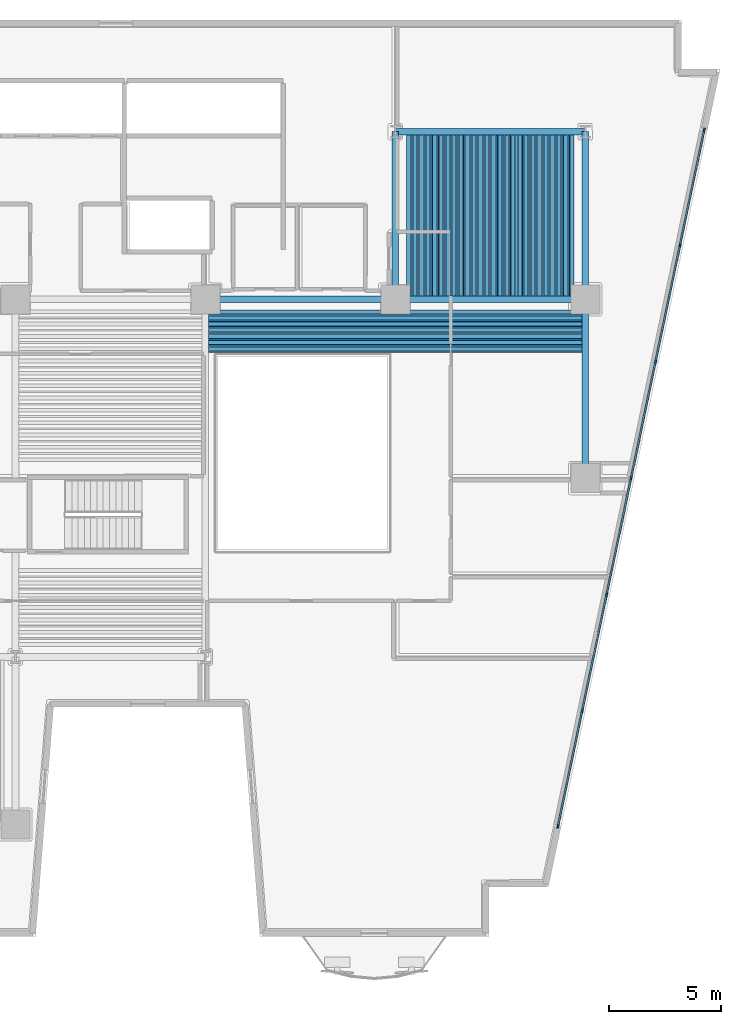
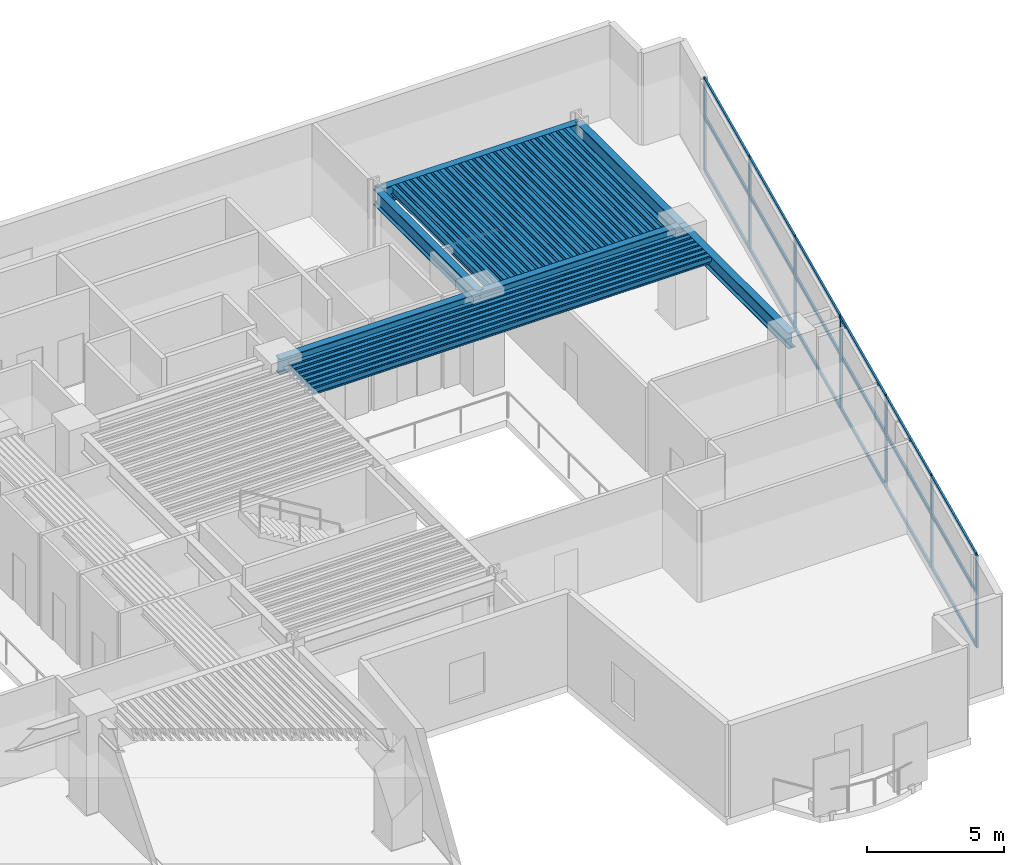
# One storey, part 2 of 12: 71 beams, 25 members, 1 element without a shape of its own.
"""IFC4 building model written with IfcOpenShell, lengths in metres."""

from ifc_helpers import new_model, si_unit, direction, frame, origin, origin_2d, place, context, subcontext, project, spatial, rectangle, hollow_rectangle, i_section, extrude, material, layer, layer_set, material_profile, profile_set, type_object, element, aggregate, save


model = new_model("IFC4")

# Units and contexts
model_context = context("Model", 3, precision=1e-05, world=origin(), true_north=direction((0.0, 1.0)))
body_context = subcontext(model_context, "Body", "Model", "MODEL_VIEW")
ifc_project = project(units=[si_unit("LENGTHUNIT", "METRE"), si_unit("AREAUNIT", "SQUARE_METRE"), si_unit("VOLUMEUNIT", "CUBIC_METRE"), si_unit("PLANEANGLEUNIT", "RADIAN"), si_unit("MASSUNIT", "GRAM", prefix="KILO")], contexts=[model_context])

# Site, building, storey
site_placement = place(None, origin())
site = spatial("IfcSite", under=ifc_project, at=site_placement, CompositionType="ELEMENT")
building_placement = place(site_placement, origin())
building = spatial("IfcBuilding", under=site, at=building_placement, Name="Caeloran Harvest Quay", CompositionType="ELEMENT")
storey_placement = place(building_placement, frame((0.0, 0.0, 31.39990234375)))
storey = spatial("IfcBuildingStorey", under=building, at=storey_placement, Name="L07", CompositionType="ELEMENT", Elevation=31.39990234375)

# Beams
ifc_material_1 = material(Name="Steel S355J2", Category="steel")
ifc_material_profile_1 = material_profile(ifc_material_1, i_section(OverallWidth=0.300048828125, OverallDepth=0.699951171875, WebThickness=0.01708984375, FlangeThickness=0.031982421875, FilletRadius=0.027099609375, at=origin_2d()), Name="HE 700 B")
ifc_profile_set_1 = profile_set([ifc_material_profile_1], Name="Steel S355J2")
beam_type_1 = type_object("IfcBeamType", Name="BM-PG-2-HE_700_B", PredefinedType="BEAM", material=ifc_profile_set_1)
for number, where, z_axis, x_axis, name in (
    (1, (34.0, 31.0, 3.75), (1.0, 0.0, 0.0), (0.0, 1.0, 0.0), "L07 Primary East-West Girder Y=31.0"),
    (2, (42.5, 31.0, 3.75), (1.0, 0.0, 0.0), (0.0, 1.0, 0.0), "L07 Primary East-West Girder Y=31.0"),
    (3, (42.5, 38.5, 3.75), (1.0, 0.0, 0.0), (0.0, 1.0, 0.0), "L07 Primary East-West Girder Y=38.5"),
):
    element("IfcBeam", number, at=place(storey_placement, frame(where, z_axis=z_axis, x_axis=x_axis)), inside=storey, type_object=beam_type_1, Name=name, PredefinedType="BEAM", context=body_context, shape_type="SweptSolid", body=[
        extrude(i_section(OverallWidth=0.300048828125, OverallDepth=0.699951171875, WebThickness=0.01708984375, FlangeThickness=0.031982421875, FilletRadius=0.027099609375, at=origin_2d()), origin(), (0.0, 0.0, 1.0), 8.5),
    ])
beam_1_placement = place(storey_placement, frame((42.5, 31.0, 3.75), z_axis=(0.0, 1.0, 0.0), x_axis=(-1.0, 0.0, 0.0)))
element("IfcBeam", 4, at=beam_1_placement, inside=storey, type_object=beam_type_1, Name="L07 Primary North-South Girder X=42.5", PredefinedType="BEAM", context=body_context, shape_type="SweptSolid", body=[
    extrude(i_section(OverallWidth=0.300048828125, OverallDepth=0.699951171875, WebThickness=0.01708984375, FlangeThickness=0.031982421875, FilletRadius=0.027099609375, at=origin_2d()), origin(), (0.0, 0.0, 1.0), 7.5),
])
beam_2_placement = place(storey_placement, frame((51.0, 23.0, 3.75), z_axis=(0.0, 1.0, 0.0), x_axis=(-1.0, 0.0, 0.0)))
element("IfcBeam", 5, at=beam_2_placement, inside=storey, type_object=beam_type_1, Name="L07 Primary North-South Girder X=51.0", PredefinedType="BEAM", context=body_context, shape_type="SweptSolid", body=[
    extrude(i_section(OverallWidth=0.300048828125, OverallDepth=0.699951171875, WebThickness=0.01708984375, FlangeThickness=0.031982421875, FilletRadius=0.027099609375, at=origin_2d()), origin(), (0.0, 0.0, 1.0), 8.0),
])
beam_3_placement = place(storey_placement, frame((51.0, 31.0, 3.75), z_axis=(0.0, 1.0, 0.0), x_axis=(-1.0, 0.0, 0.0)))
element("IfcBeam", 6, at=beam_3_placement, inside=storey, type_object=beam_type_1, Name="L07 Primary North-South Girder X=51.0", PredefinedType="BEAM", context=body_context, shape_type="SweptSolid", body=[
    extrude(i_section(OverallWidth=0.300048828125, OverallDepth=0.699951171875, WebThickness=0.01708984375, FlangeThickness=0.031982421875, FilletRadius=0.027099609375, at=origin_2d()), origin(), (0.0, 0.0, 1.0), 7.5),
])
ifc_material_profile_2 = material_profile(ifc_material_1, i_section(OverallWidth=0.169921875, OverallDepth=0.360107421875, WebThickness=0.008056640625, FlangeThickness=0.0126953125, FilletRadius=0.01806640625, at=origin_2d()), Name="IPE 360")
ifc_profile_set_2 = profile_set([ifc_material_profile_2], Name="Steel S355J2")
beam_type_2 = type_object("IfcBeamType", Name="BM-SB-5-IPE_360", PredefinedType="JOIST", material=ifc_profile_set_2)
for number, where, z_axis, x_axis, name in (
    (7, (43.086181640625, 31.14501953125, 3.920166015625), (0.0, 1.0, 0.0), (-1.0, 0.0, 0.0), "L07 Secondary Composite Joist"),
    (8, (43.37939453125, 31.14501953125, 3.920166015625), (0.0, 1.0, 0.0), (-1.0, 0.0, 0.0), "L07 Secondary Composite Joist"),
    (9, (43.67236328125, 31.14501953125, 3.920166015625), (0.0, 1.0, 0.0), (-1.0, 0.0, 0.0), "L07 Secondary Composite Joist"),
    (10, (43.965576171875, 31.14501953125, 3.920166015625), (0.0, 1.0, 0.0), (-1.0, 0.0, 0.0), "L07 Secondary Composite Joist"),
    (11, (44.258544921875, 31.14501953125, 3.920166015625), (0.0, 1.0, 0.0), (-1.0, 0.0, 0.0), "L07 Secondary Composite Joist"),
    (12, (44.5517578125, 31.14501953125, 3.920166015625), (0.0, 1.0, 0.0), (-1.0, 0.0, 0.0), "L07 Secondary Composite Joist"),
    (13, (44.8447265625, 31.14501953125, 3.920166015625), (0.0, 1.0, 0.0), (-1.0, 0.0, 0.0), "L07 Secondary Composite Joist"),
    (14, (45.137939453125, 31.14501953125, 3.920166015625), (0.0, 1.0, 0.0), (-1.0, 0.0, 0.0), "L07 Secondary Composite Joist"),
    (15, (45.430908203125, 31.14501953125, 3.920166015625), (0.0, 1.0, 0.0), (-1.0, 0.0, 0.0), "L07 Secondary Composite Joist"),
    (16, (45.72412109375, 31.14501953125, 3.920166015625), (0.0, 1.0, 0.0), (-1.0, 0.0, 0.0), "L07 Secondary Composite Joist"),
    (17, (46.01708984375, 31.14501953125, 3.920166015625), (0.0, 1.0, 0.0), (-1.0, 0.0, 0.0), "L07 Secondary Composite Joist"),
    (18, (46.310302734375, 31.14501953125, 3.920166015625), (0.0, 1.0, 0.0), (-1.0, 0.0, 0.0), "L07 Secondary Composite Joist"),
    (19, (46.603515625, 31.14501953125, 3.920166015625), (0.0, 1.0, 0.0), (-1.0, 0.0, 0.0), "L07 Secondary Composite Joist"),
    (20, (46.896484375, 31.14501953125, 3.920166015625), (0.0, 1.0, 0.0), (-1.0, 0.0, 0.0), "L07 Secondary Composite Joist"),
    (21, (47.189697265625, 31.14501953125, 3.920166015625), (0.0, 1.0, 0.0), (-1.0, 0.0, 0.0), "L07 Secondary Composite Joist"),
    (22, (47.48291015625, 31.14501953125, 3.920166015625), (0.0, 1.0, 0.0), (-1.0, 0.0, 0.0), "L07 Secondary Composite Joist"),
    (23, (47.77587890625, 31.14501953125, 3.920166015625), (0.0, 1.0, 0.0), (-1.0, 0.0, 0.0), "L07 Secondary Composite Joist"),
    (24, (48.069091796875, 31.14501953125, 3.920166015625), (0.0, 1.0, 0.0), (-1.0, 0.0, 0.0), "L07 Secondary Composite Joist"),
    (25, (48.362060546875, 31.14501953125, 3.920166015625), (0.0, 1.0, 0.0), (-1.0, 0.0, 0.0), "L07 Secondary Composite Joist"),
    (26, (48.6552734375, 31.14501953125, 3.920166015625), (0.0, 1.0, 0.0), (-1.0, 0.0, 0.0), "L07 Secondary Composite Joist"),
    (27, (48.9482421875, 31.14501953125, 3.920166015625), (0.0, 1.0, 0.0), (-1.0, 0.0, 0.0), "L07 Secondary Composite Joist"),
    (28, (49.241455078125, 31.14501953125, 3.920166015625), (0.0, 1.0, 0.0), (-1.0, 0.0, 0.0), "L07 Secondary Composite Joist"),
    (29, (49.534423828125, 31.14501953125, 3.920166015625), (0.0, 1.0, 0.0), (-1.0, 0.0, 0.0), "L07 Secondary Composite Joist"),
    (30, (49.82763671875, 31.14501953125, 3.920166015625), (0.0, 1.0, 0.0), (-1.0, 0.0, 0.0), "L07 Secondary Composite Joist"),
    (31, (50.12060546875, 31.14501953125, 3.920166015625), (0.0, 1.0, 0.0), (-1.0, 0.0, 0.0), "L07 Secondary Composite Joist"),
    (32, (50.413818359375, 31.14501953125, 3.920166015625), (0.0, 1.0, 0.0), (-1.0, 0.0, 0.0), "L07 Secondary Composite Joist"),
):
    element("IfcBeam", number, at=place(storey_placement, frame(where, z_axis=z_axis, x_axis=x_axis)), inside=storey, type_object=beam_type_2, Name=name, PredefinedType="JOIST", context=body_context, shape_type="SweptSolid", body=[
        extrude(i_section(OverallWidth=0.169921875, OverallDepth=0.360107421875, WebThickness=0.008056640625, FlangeThickness=0.0126953125, FilletRadius=0.01806640625, at=origin_2d()), origin(), (0.0, 0.0, 1.0), 7.2099609375),
    ])
for number, where, z_axis, x_axis, name in (
    (33, (34.14501953125, 28.793212890625, 3.920166015625), (1.0, 0.0, 0.0), (0.0, 1.0, 0.0), "L07 Secondary East-West Composite Joist"),
    (34, (34.14501953125, 29.069091796875, 3.920166015625), (1.0, 0.0, 0.0), (0.0, 1.0, 0.0), "L07 Secondary East-West Composite Joist"),
    (35, (34.14501953125, 29.3447265625, 3.920166015625), (1.0, 0.0, 0.0), (0.0, 1.0, 0.0), "L07 Secondary East-West Composite Joist"),
    (36, (34.14501953125, 29.62060546875, 3.920166015625), (1.0, 0.0, 0.0), (0.0, 1.0, 0.0), "L07 Secondary East-West Composite Joist"),
    (37, (34.14501953125, 29.896484375, 3.920166015625), (1.0, 0.0, 0.0), (0.0, 1.0, 0.0), "L07 Secondary East-West Composite Joist"),
    (38, (34.14501953125, 30.17236328125, 3.920166015625), (1.0, 0.0, 0.0), (0.0, 1.0, 0.0), "L07 Secondary East-West Composite Joist"),
    (39, (34.14501953125, 30.4482421875, 3.920166015625), (1.0, 0.0, 0.0), (0.0, 1.0, 0.0), "L07 Secondary East-West Composite Joist"),
):
    element("IfcBeam", number, at=place(storey_placement, frame(where, z_axis=z_axis, x_axis=x_axis)), inside=storey, type_object=beam_type_2, Name=name, PredefinedType="JOIST", context=body_context, shape_type="SweptSolid", body=[
        extrude(i_section(OverallWidth=0.169921875, OverallDepth=0.360107421875, WebThickness=0.008056640625, FlangeThickness=0.0126953125, FilletRadius=0.01806640625, at=origin_2d()), origin(), (0.0, 0.0, 1.0), 16.7099609375),
    ])
ifc_material_profile_3 = material_profile(ifc_material_1, hollow_rectangle(XDim=0.080078125, YDim=0.199951171875, WallThickness=0.006103515625, InnerFilletRadius=0.006103515625, OuterFilletRadius=0.009033203125, at=origin_2d()), Name="RHS 200x80x6")
ifc_profile_set_3 = profile_set([ifc_material_profile_3], Name="Steel S355J2")
beam_type_3 = type_object("IfcBeamType", Name="BM-SB-7-RHS_200x80x6", PredefinedType="JOIST", material=ifc_profile_set_3)
for number, where, z_axis, x_axis, name in (
    (40, (43.23291015625, 31.14501953125, 4.0), (0.0, 1.0, 0.0), (-1.0, 0.0, 0.0), "L07 Secondary Composite Joist"),
    (41, (43.52587890625, 31.14501953125, 4.0), (0.0, 1.0, 0.0), (-1.0, 0.0, 0.0), "L07 Secondary Composite Joist"),
    (42, (43.819091796875, 31.14501953125, 4.0), (0.0, 1.0, 0.0), (-1.0, 0.0, 0.0), "L07 Secondary Composite Joist"),
    (43, (44.112060546875, 31.14501953125, 4.0), (0.0, 1.0, 0.0), (-1.0, 0.0, 0.0), "L07 Secondary Composite Joist"),
    (44, (44.4052734375, 31.14501953125, 4.0), (0.0, 1.0, 0.0), (-1.0, 0.0, 0.0), "L07 Secondary Composite Joist"),
    (45, (44.6982421875, 31.14501953125, 4.0), (0.0, 1.0, 0.0), (-1.0, 0.0, 0.0), "L07 Secondary Composite Joist"),
    (46, (44.991455078125, 31.14501953125, 4.0), (0.0, 1.0, 0.0), (-1.0, 0.0, 0.0), "L07 Secondary Composite Joist"),
    (47, (45.284423828125, 31.14501953125, 4.0), (0.0, 1.0, 0.0), (-1.0, 0.0, 0.0), "L07 Secondary Composite Joist"),
    (48, (45.57763671875, 31.14501953125, 4.0), (0.0, 1.0, 0.0), (-1.0, 0.0, 0.0), "L07 Secondary Composite Joist"),
    (49, (45.87060546875, 31.14501953125, 4.0), (0.0, 1.0, 0.0), (-1.0, 0.0, 0.0), "L07 Secondary Composite Joist"),
    (50, (46.163818359375, 31.14501953125, 4.0), (0.0, 1.0, 0.0), (-1.0, 0.0, 0.0), "L07 Secondary Composite Joist"),
    (51, (46.456787109375, 31.14501953125, 4.0), (0.0, 1.0, 0.0), (-1.0, 0.0, 0.0), "L07 Secondary Composite Joist"),
    (52, (46.75, 31.14501953125, 4.0), (0.0, 1.0, 0.0), (-1.0, 0.0, 0.0), "L07 Secondary Composite Joist"),
    (53, (47.043212890625, 31.14501953125, 4.0), (0.0, 1.0, 0.0), (-1.0, 0.0, 0.0), "L07 Secondary Composite Joist"),
    (54, (47.336181640625, 31.14501953125, 4.0), (0.0, 1.0, 0.0), (-1.0, 0.0, 0.0), "L07 Secondary Composite Joist"),
    (55, (47.62939453125, 31.14501953125, 4.0), (0.0, 1.0, 0.0), (-1.0, 0.0, 0.0), "L07 Secondary Composite Joist"),
    (56, (47.92236328125, 31.14501953125, 4.0), (0.0, 1.0, 0.0), (-1.0, 0.0, 0.0), "L07 Secondary Composite Joist"),
    (57, (48.215576171875, 31.14501953125, 4.0), (0.0, 1.0, 0.0), (-1.0, 0.0, 0.0), "L07 Secondary Composite Joist"),
    (58, (48.508544921875, 31.14501953125, 4.0), (0.0, 1.0, 0.0), (-1.0, 0.0, 0.0), "L07 Secondary Composite Joist"),
    (59, (48.8017578125, 31.14501953125, 4.0), (0.0, 1.0, 0.0), (-1.0, 0.0, 0.0), "L07 Secondary Composite Joist"),
    (60, (49.0947265625, 31.14501953125, 4.0), (0.0, 1.0, 0.0), (-1.0, 0.0, 0.0), "L07 Secondary Composite Joist"),
    (61, (49.387939453125, 31.14501953125, 4.0), (0.0, 1.0, 0.0), (-1.0, 0.0, 0.0), "L07 Secondary Composite Joist"),
    (62, (49.680908203125, 31.14501953125, 4.0), (0.0, 1.0, 0.0), (-1.0, 0.0, 0.0), "L07 Secondary Composite Joist"),
    (63, (49.97412109375, 31.14501953125, 4.0), (0.0, 1.0, 0.0), (-1.0, 0.0, 0.0), "L07 Secondary Composite Joist"),
    (64, (50.26708984375, 31.14501953125, 4.0), (0.0, 1.0, 0.0), (-1.0, 0.0, 0.0), "L07 Secondary Composite Joist"),
):
    element("IfcBeam", number, at=place(storey_placement, frame(where, z_axis=z_axis, x_axis=x_axis)), inside=storey, type_object=beam_type_3, Name=name, PredefinedType="JOIST", context=body_context, shape_type="SweptSolid", body=[
        extrude(hollow_rectangle(XDim=0.080078125, YDim=0.199951171875, WallThickness=0.006103515625, InnerFilletRadius=0.006103515625, OuterFilletRadius=0.009033203125, at=origin_2d()), origin(), (0.0, 0.0, 1.0), 7.2099609375),
    ])
for number, where, z_axis, x_axis, name in (
    (65, (34.14501953125, 28.6552734375, 4.0), (1.0, 0.0, 0.0), (0.0, 1.0, 0.0), "L07 Secondary East-West Composite Joist"),
    (66, (34.14501953125, 28.930908203125, 4.0), (1.0, 0.0, 0.0), (0.0, 1.0, 0.0), "L07 Secondary East-West Composite Joist"),
    (67, (34.14501953125, 29.206787109375, 4.0), (1.0, 0.0, 0.0), (0.0, 1.0, 0.0), "L07 Secondary East-West Composite Joist"),
    (68, (34.14501953125, 29.48291015625, 4.0), (1.0, 0.0, 0.0), (0.0, 1.0, 0.0), "L07 Secondary East-West Composite Joist"),
    (69, (34.14501953125, 29.758544921875, 4.0), (1.0, 0.0, 0.0), (0.0, 1.0, 0.0), "L07 Secondary East-West Composite Joist"),
    (70, (34.14501953125, 30.034423828125, 4.0), (1.0, 0.0, 0.0), (0.0, 1.0, 0.0), "L07 Secondary East-West Composite Joist"),
    (71, (34.14501953125, 30.310302734375, 4.0), (1.0, 0.0, 0.0), (0.0, 1.0, 0.0), "L07 Secondary East-West Composite Joist"),
):
    element("IfcBeam", number, at=place(storey_placement, frame(where, z_axis=z_axis, x_axis=x_axis)), inside=storey, type_object=beam_type_3, Name=name, PredefinedType="JOIST", context=body_context, shape_type="SweptSolid", body=[
        extrude(hollow_rectangle(XDim=0.080078125, YDim=0.199951171875, WallThickness=0.006103515625, InnerFilletRadius=0.006103515625, OuterFilletRadius=0.009033203125, at=origin_2d()), origin(), (0.0, 0.0, 1.0), 16.7099609375),
    ])

# Curtain wall, members
ifc_material_2 = material(Name="Aluminium 6063-T6 and Low-E Glazing", Category="aluminium")
ifc_layer = layer(ifc_material_2, 0.199951171875, Name="Aluminium 6063-T6 and Low-E Glazing")
ifc_layer_set = layer_set([ifc_layer], Name="Aluminium 6063-T6 and Low-E Glazing")
curtain_wall_type = type_object("IfcCurtainWallType", Name="CW-SYS-CW-2", PredefinedType="USERDEFINED", material=ifc_layer_set)
curtain_wall_placement = place(storey_placement, origin())
curtain_wall = element("IfcCurtainWall", 72, at=curtain_wall_placement, inside=storey, type_object=curtain_wall_type, Name="L07 Unitised Curtain Wall CW-2 Run 9", ObjectType="CURTAIN_WALL", PredefinedType="USERDEFINED")
ifc_material_3 = material(Name="Aluminium 6063-T6", Category="aluminium")
ifc_material_profile_4 = material_profile(ifc_material_3, rectangle(XDim=0.080078125, YDim=0.179931640625, at=origin_2d()), Name="CW-MULLION-180")
ifc_profile_set_4 = profile_set([ifc_material_profile_4], Name="Aluminium 6063-T6")
member_type_1 = type_object("IfcMemberType", Name="CW-MULLION-180", PredefinedType="MULLION", material=ifc_profile_set_4)
member_1_placement = place(storey_placement, frame((56.322509765625, 38.576416015625, 0.0), z_axis=(0.0, 0.0, 1.0), x_axis=(0.978639691881, -0.205582960081, 0.0)))
member_1 = element("IfcMember", 73, at=member_1_placement, type_object=member_type_1, Name="CW-2 mullion 1", PredefinedType="MULLION", context=body_context, shape_type="SweptSolid", body=[
    extrude(rectangle(XDim=0.080078125, YDim=0.179931640625, at=origin_2d()), origin(), (0.0, 0.0, 1.0), 4.10009765625),
])
member_2_placement = place(storey_placement, frame((55.2373046875, 33.410400390625, 0.0), z_axis=(0.0, 0.0, 1.0), x_axis=(0.978639691881, -0.205582960081, 0.0)))
member_2 = element("IfcMember", 74, at=member_2_placement, type_object=member_type_1, Name="CW-2 mullion 2", PredefinedType="MULLION", context=body_context, shape_type="SweptSolid", body=[
    extrude(rectangle(XDim=0.080078125, YDim=0.179931640625, at=origin_2d()), origin(), (0.0, 0.0, 1.0), 4.10009765625),
])
member_3_placement = place(storey_placement, frame((54.143798828125, 28.205078125, 0.0), z_axis=(0.0, 0.0, 1.0), x_axis=(0.978639691881, -0.205582960081, 0.0)))
member_3 = element("IfcMember", 75, at=member_3_placement, type_object=member_type_1, Name="CW-2 mullion 3", PredefinedType="MULLION", context=body_context, shape_type="SweptSolid", body=[
    extrude(rectangle(XDim=0.080078125, YDim=0.179931640625, at=origin_2d()), origin(), (0.0, 0.0, 1.0), 4.10009765625),
])
member_4_placement = place(storey_placement, frame((53.050537109375, 23.0, 0.0), z_axis=(0.0, 0.0, 1.0), x_axis=(0.978639691881, -0.205582960081, 0.0)))
member_4 = element("IfcMember", 76, at=member_4_placement, type_object=member_type_1, Name="CW-2 mullion 4", PredefinedType="MULLION", context=body_context, shape_type="SweptSolid", body=[
    extrude(rectangle(XDim=0.080078125, YDim=0.179931640625, at=origin_2d()), origin(), (0.0, 0.0, 1.0), 4.10009765625),
])
member_5_placement = place(storey_placement, frame((51.95703125, 17.794921875, 0.0), z_axis=(0.0, 0.0, 1.0), x_axis=(0.978639691881, -0.205582960081, 0.0)))
member_5 = element("IfcMember", 77, at=member_5_placement, type_object=member_type_1, Name="CW-2 mullion 5", PredefinedType="MULLION", context=body_context, shape_type="SweptSolid", body=[
    extrude(rectangle(XDim=0.080078125, YDim=0.179931640625, at=origin_2d()), origin(), (0.0, 0.0, 1.0), 4.10009765625),
])
member_6_placement = place(storey_placement, frame((50.863525390625, 12.589599609375, 0.0), z_axis=(0.0, 0.0, 1.0), x_axis=(0.978639691881, -0.205582960081, 0.0)))
member_6 = element("IfcMember", 78, at=member_6_placement, type_object=member_type_1, Name="CW-2 mullion 6", PredefinedType="MULLION", context=body_context, shape_type="SweptSolid", body=[
    extrude(rectangle(XDim=0.080078125, YDim=0.179931640625, at=origin_2d()), origin(), (0.0, 0.0, 1.0), 4.10009765625),
])
member_7_placement = place(storey_placement, frame((49.7783203125, 7.423583984375, 0.0), z_axis=(0.0, 0.0, 1.0), x_axis=(0.978639691881, -0.205582960081, 0.0)))
member_7 = element("IfcMember", 79, at=member_7_placement, type_object=member_type_1, Name="CW-2 mullion 7", PredefinedType="MULLION", context=body_context, shape_type="SweptSolid", body=[
    extrude(rectangle(XDim=0.080078125, YDim=0.179931640625, at=origin_2d()), origin(), (0.0, 0.0, 1.0), 4.10009765625),
])
ifc_material_profile_5 = material_profile(ifc_material_3, rectangle(XDim=0.080078125, YDim=0.14990234375, at=origin_2d()), Name="CW-TRANSOM-150")
ifc_profile_set_5 = profile_set([ifc_material_profile_5], Name="Aluminium 6063-T6")
member_type_2 = type_object("IfcMemberType", Name="CW-TRANSOM-150", PredefinedType="USERDEFINED", material=ifc_profile_set_5)
member_8_placement = place(storey_placement, frame((56.314453125, 38.537109375, 0.0400390625), z_axis=(-0.205598644178, -0.978636396989, 0.0), x_axis=(0.978636396989, -0.205598644178, 0.0)))
member_8 = element("IfcMember", 80, at=member_8_placement, type_object=member_type_2, Name="CW-2 transom 1.1", ObjectType="TRANSOM", PredefinedType="USERDEFINED", context=body_context, shape_type="SweptSolid", body=[
    extrude(rectangle(XDim=0.080078125, YDim=0.14990234375, at=origin_2d()), origin(), (0.0, 0.0, 1.0), 5.19873046875),
])
member_9_placement = place(storey_placement, frame((56.314453125, 38.537109375, 2.400146484375), z_axis=(-0.205598644178, -0.978636396989, 0.0), x_axis=(0.978636396989, -0.205598644178, 0.0)))
member_9 = element("IfcMember", 81, at=member_9_placement, type_object=member_type_2, Name="CW-2 transom 1.2", ObjectType="TRANSOM", PredefinedType="USERDEFINED", context=body_context, shape_type="SweptSolid", body=[
    extrude(rectangle(XDim=0.080078125, YDim=0.14990234375, at=origin_2d()), origin(), (0.0, 0.0, 1.0), 5.19873046875),
])
member_10_placement = place(storey_placement, frame((56.314453125, 38.537109375, 4.06005859375), z_axis=(-0.205598644178, -0.978636396989, 0.0), x_axis=(0.978636396989, -0.205598644178, 0.0)))
member_10 = element("IfcMember", 82, at=member_10_placement, type_object=member_type_2, Name="CW-2 transom 1.3", ObjectType="TRANSOM", PredefinedType="USERDEFINED", context=body_context, shape_type="SweptSolid", body=[
    extrude(rectangle(XDim=0.080078125, YDim=0.14990234375, at=origin_2d()), origin(), (0.0, 0.0, 1.0), 5.19873046875),
])
member_11_placement = place(storey_placement, frame((55.229248046875, 33.37109375, 0.0400390625), z_axis=(-0.205615877389, -0.97863277636, 0.0), x_axis=(0.97863277636, -0.205615877389, 0.0)))
member_11 = element("IfcMember", 83, at=member_11_placement, type_object=member_type_2, Name="CW-2 transom 2.1", ObjectType="TRANSOM", PredefinedType="USERDEFINED", context=body_context, shape_type="SweptSolid", body=[
    extrude(rectangle(XDim=0.080078125, YDim=0.14990234375, at=origin_2d()), origin(), (0.0, 0.0, 1.0), 5.238525390625),
])
member_12_placement = place(storey_placement, frame((55.229248046875, 33.37109375, 2.400146484375), z_axis=(-0.205615877389, -0.97863277636, 0.0), x_axis=(0.97863277636, -0.205615877389, 0.0)))
member_12 = element("IfcMember", 84, at=member_12_placement, type_object=member_type_2, Name="CW-2 transom 2.2", ObjectType="TRANSOM", PredefinedType="USERDEFINED", context=body_context, shape_type="SweptSolid", body=[
    extrude(rectangle(XDim=0.080078125, YDim=0.14990234375, at=origin_2d()), origin(), (0.0, 0.0, 1.0), 5.238525390625),
])
member_13_placement = place(storey_placement, frame((55.229248046875, 33.37109375, 4.06005859375), z_axis=(-0.205615877389, -0.97863277636, 0.0), x_axis=(0.97863277636, -0.205615877389, 0.0)))
member_13 = element("IfcMember", 85, at=member_13_placement, type_object=member_type_2, Name="CW-2 transom 2.3", ObjectType="TRANSOM", PredefinedType="USERDEFINED", context=body_context, shape_type="SweptSolid", body=[
    extrude(rectangle(XDim=0.080078125, YDim=0.14990234375, at=origin_2d()), origin(), (0.0, 0.0, 1.0), 5.238525390625),
])
member_14_placement = place(storey_placement, frame((54.1357421875, 28.166015625, 0.0400390625), z_axis=(-0.205606500081, -0.978634746534, 0.0), x_axis=(0.978634746534, -0.205606500081, 0.0)))
member_14 = element("IfcMember", 86, at=member_14_placement, type_object=member_type_2, Name="CW-2 transom 3.1", ObjectType="TRANSOM", PredefinedType="USERDEFINED", context=body_context, shape_type="SweptSolid", body=[
    extrude(rectangle(XDim=0.080078125, YDim=0.14990234375, at=origin_2d()), origin(), (0.0, 0.0, 1.0), 5.23876953125),
])
member_15_placement = place(storey_placement, frame((54.1357421875, 28.166015625, 2.400146484375), z_axis=(-0.205606500081, -0.978634746534, 0.0), x_axis=(0.978634746534, -0.205606500081, 0.0)))
member_15 = element("IfcMember", 87, at=member_15_placement, type_object=member_type_2, Name="CW-2 transom 3.2", ObjectType="TRANSOM", PredefinedType="USERDEFINED", context=body_context, shape_type="SweptSolid", body=[
    extrude(rectangle(XDim=0.080078125, YDim=0.14990234375, at=origin_2d()), origin(), (0.0, 0.0, 1.0), 5.23876953125),
])
member_16_placement = place(storey_placement, frame((54.1357421875, 28.166015625, 4.06005859375), z_axis=(-0.205606500081, -0.978634746534, 0.0), x_axis=(0.978634746534, -0.205606500081, 0.0)))
member_16 = element("IfcMember", 88, at=member_16_placement, type_object=member_type_2, Name="CW-2 transom 3.3", ObjectType="TRANSOM", PredefinedType="USERDEFINED", context=body_context, shape_type="SweptSolid", body=[
    extrude(rectangle(XDim=0.080078125, YDim=0.14990234375, at=origin_2d()), origin(), (0.0, 0.0, 1.0), 5.23876953125),
])
member_17_placement = place(storey_placement, frame((53.042236328125, 22.9609375, 0.0400390625), z_axis=(-0.205561867825, -0.978644122496, 0.0), x_axis=(0.978644122496, -0.205561867825, 0.0)))
member_17 = element("IfcMember", 89, at=member_17_placement, type_object=member_type_2, Name="CW-2 transom 4.1", ObjectType="TRANSOM", PredefinedType="USERDEFINED", context=body_context, shape_type="SweptSolid", body=[
    extrude(rectangle(XDim=0.080078125, YDim=0.14990234375, at=origin_2d()), origin(), (0.0, 0.0, 1.0), 5.23876953125),
])
member_18_placement = place(storey_placement, frame((53.042236328125, 22.9609375, 2.400146484375), z_axis=(-0.205561867825, -0.978644122496, 0.0), x_axis=(0.978644122496, -0.205561867825, 0.0)))
member_18 = element("IfcMember", 90, at=member_18_placement, type_object=member_type_2, Name="CW-2 transom 4.2", ObjectType="TRANSOM", PredefinedType="USERDEFINED", context=body_context, shape_type="SweptSolid", body=[
    extrude(rectangle(XDim=0.080078125, YDim=0.14990234375, at=origin_2d()), origin(), (0.0, 0.0, 1.0), 5.23876953125),
])
member_19_placement = place(storey_placement, frame((53.042236328125, 22.9609375, 4.06005859375), z_axis=(-0.205561867825, -0.978644122496, 0.0), x_axis=(0.978644122496, -0.205561867825, 0.0)))
member_19 = element("IfcMember", 91, at=member_19_placement, type_object=member_type_2, Name="CW-2 transom 4.3", ObjectType="TRANSOM", PredefinedType="USERDEFINED", context=body_context, shape_type="SweptSolid", body=[
    extrude(rectangle(XDim=0.080078125, YDim=0.14990234375, at=origin_2d()), origin(), (0.0, 0.0, 1.0), 5.23876953125),
])
member_20_placement = place(storey_placement, frame((51.94873046875, 17.755615234375, 0.0400390625), z_axis=(-0.205571243277, -0.978642153158, 0.0), x_axis=(0.978642153158, -0.205571243277, 0.0)))
member_20 = element("IfcMember", 92, at=member_20_placement, type_object=member_type_2, Name="CW-2 transom 5.1", ObjectType="TRANSOM", PredefinedType="USERDEFINED", context=body_context, shape_type="SweptSolid", body=[
    extrude(rectangle(XDim=0.080078125, YDim=0.14990234375, at=origin_2d()), origin(), (0.0, 0.0, 1.0), 5.238525390625),
])
member_21_placement = place(storey_placement, frame((51.94873046875, 17.755615234375, 2.400146484375), z_axis=(-0.205571243277, -0.978642153158, 0.0), x_axis=(0.978642153158, -0.205571243277, 0.0)))
member_21 = element("IfcMember", 93, at=member_21_placement, type_object=member_type_2, Name="CW-2 transom 5.2", ObjectType="TRANSOM", PredefinedType="USERDEFINED", context=body_context, shape_type="SweptSolid", body=[
    extrude(rectangle(XDim=0.080078125, YDim=0.14990234375, at=origin_2d()), origin(), (0.0, 0.0, 1.0), 5.238525390625),
])
member_22_placement = place(storey_placement, frame((51.94873046875, 17.755615234375, 4.06005859375), z_axis=(-0.205571243277, -0.978642153158, 0.0), x_axis=(0.978642153158, -0.205571243277, 0.0)))
member_22 = element("IfcMember", 94, at=member_22_placement, type_object=member_type_2, Name="CW-2 transom 5.3", ObjectType="TRANSOM", PredefinedType="USERDEFINED", context=body_context, shape_type="SweptSolid", body=[
    extrude(rectangle(XDim=0.080078125, YDim=0.14990234375, at=origin_2d()), origin(), (0.0, 0.0, 1.0), 5.238525390625),
])
member_23_placement = place(storey_placement, frame((50.855224609375, 12.550537109375, 0.0400390625), z_axis=(-0.205553666865, -0.978645845052, 0.0), x_axis=(0.978645845052, -0.205553666865, 0.0)))
member_23 = element("IfcMember", 95, at=member_23_placement, type_object=member_type_2, Name="CW-2 transom 6.1", ObjectType="TRANSOM", PredefinedType="USERDEFINED", context=body_context, shape_type="SweptSolid", body=[
    extrude(rectangle(XDim=0.080078125, YDim=0.14990234375, at=origin_2d()), origin(), (0.0, 0.0, 1.0), 5.19873046875),
])
member_24_placement = place(storey_placement, frame((50.855224609375, 12.550537109375, 2.400146484375), z_axis=(-0.205553666865, -0.978645845052, 0.0), x_axis=(0.978645845052, -0.205553666865, 0.0)))
member_24 = element("IfcMember", 96, at=member_24_placement, type_object=member_type_2, Name="CW-2 transom 6.2", ObjectType="TRANSOM", PredefinedType="USERDEFINED", context=body_context, shape_type="SweptSolid", body=[
    extrude(rectangle(XDim=0.080078125, YDim=0.14990234375, at=origin_2d()), origin(), (0.0, 0.0, 1.0), 5.19873046875),
])
member_25_placement = place(storey_placement, frame((50.855224609375, 12.550537109375, 4.06005859375), z_axis=(-0.205553666865, -0.978645845052, 0.0), x_axis=(0.978645845052, -0.205553666865, 0.0)))
member_25 = element("IfcMember", 97, at=member_25_placement, type_object=member_type_2, Name="CW-2 transom 6.3", ObjectType="TRANSOM", PredefinedType="USERDEFINED", context=body_context, shape_type="SweptSolid", body=[
    extrude(rectangle(XDim=0.080078125, YDim=0.14990234375, at=origin_2d()), origin(), (0.0, 0.0, 1.0), 5.19873046875),
])
aggregate(curtain_wall, [member_1, member_2, member_3, member_4, member_5, member_6, member_7, member_8, member_9, member_10, member_11, member_12, member_13, member_14, member_15, member_16, member_17, member_18, member_19, member_20, member_21, member_22, member_23, member_24, member_25])

save(model, "model.ifc")
